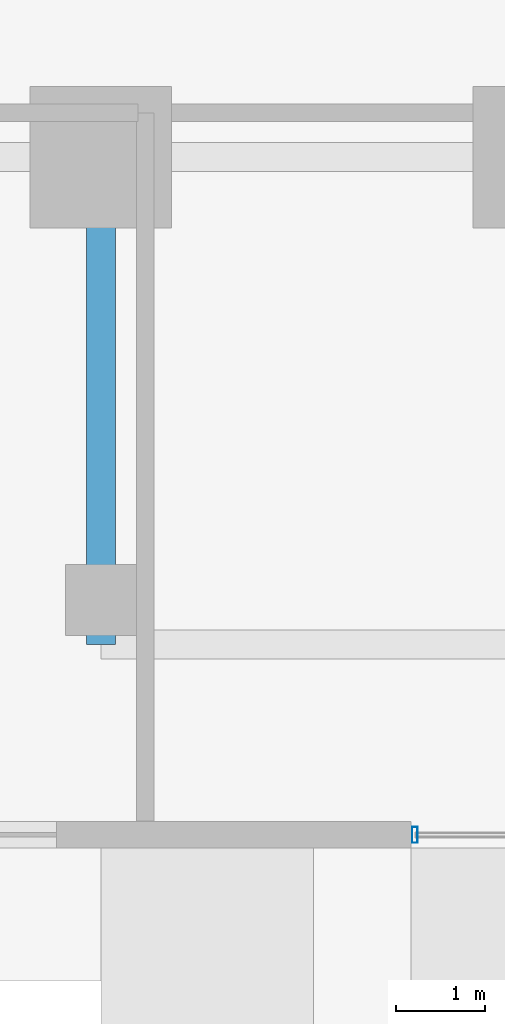
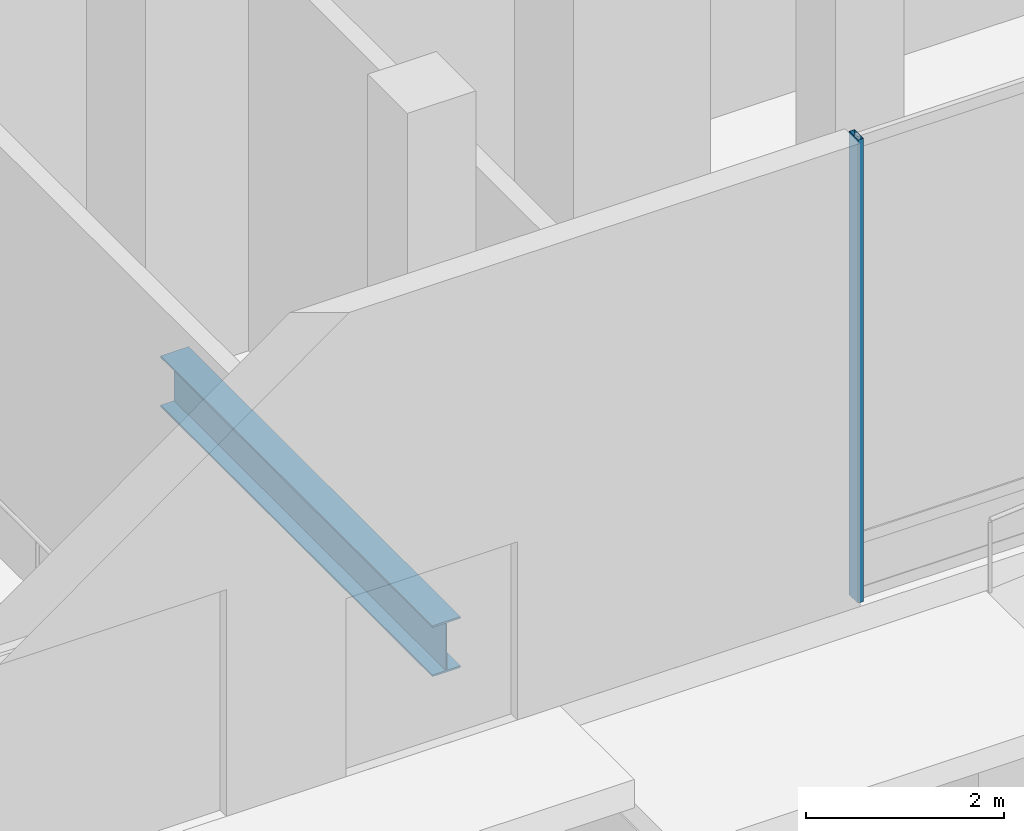
# One storey, part 3 of 34: 1 beam, 1 member, 1 element without a shape of its own.
"""IFC4 building model written with IfcOpenShell, lengths in metres."""

from ifc_helpers import new_model, si_unit, direction, frame, origin, origin_2d, place, context, subcontext, project, spatial, hollow_rectangle, i_section, extrude, material, layer, layer_set, material_profile, profile_set, type_object, element, aggregate, save


model = new_model("IFC4")

# Units and contexts
model_context = context("Model", 3, precision=1e-05, world=origin(), true_north=direction((0.0, 1.0)))
body_context = subcontext(model_context, "Body", "Model", "MODEL_VIEW")
ifc_project = project(units=[si_unit("LENGTHUNIT", "METRE"), si_unit("AREAUNIT", "SQUARE_METRE"), si_unit("VOLUMEUNIT", "CUBIC_METRE"), si_unit("PLANEANGLEUNIT", "RADIAN"), si_unit("MASSUNIT", "GRAM", prefix="KILO")], contexts=[model_context])

# Site, building, storey
site_placement = place(None, origin())
site = spatial("IfcSite", under=ifc_project, at=site_placement, CompositionType="ELEMENT")
building_placement = place(site_placement, origin())
building = spatial("IfcBuilding", under=site, at=building_placement, Name="Barlavira Tower and Art Museum", CompositionType="ELEMENT")
storey_placement = place(building_placement, origin())
storey = spatial("IfcBuildingStorey", under=building, at=storey_placement, Name="L00", CompositionType="ELEMENT", Elevation=0.0)

# Curtain wall, member
ifc_material_1 = material(Name="Low-iron coastal laminated glass", Category="glass")
ifc_layer = layer(ifc_material_1, 0.179931640625, Name="Low-iron coastal laminated glass")
ifc_layer_set = layer_set([ifc_layer], Name="Low-iron coastal laminated glass")
curtain_wall_type = type_object("IfcCurtainWallType", Name="Pale-Metal Unitised Curtain Wall Zone 1", PredefinedType="NOTDEFINED", material=ifc_layer_set)
curtain_wall_placement = place(storey_placement, origin())
curtain_wall = element("IfcCurtainWall", 1, at=curtain_wall_placement, inside=storey, type_object=curtain_wall_type, Name="L00 Curtain Wall CW1-L00-S", PredefinedType="NOTDEFINED")
ifc_material_2 = material(Name="Pale anodised aluminium", Category="aluminium")
ifc_material_profile_1 = material_profile(ifc_material_2, hollow_rectangle(XDim=0.06494140625, YDim=0.179931640625, WallThickness=0.00390625, at=origin_2d()), Name="ALU-MULL 65x180x4")
ifc_profile_set_1 = profile_set([ifc_material_profile_1], Name="Pale anodised aluminium")
member_type = type_object("IfcMemberType", Name="Curtain Wall Pale-Metal Mullion 65x180", PredefinedType="MULLION", material=ifc_profile_set_1)
member_placement = place(storey_placement, frame((-7.955078125, -27.64990234375, 0.0), z_axis=(0.0, 0.0, 1.0), x_axis=(1.0, 0.0, 0.0)))
member = element("IfcMember", 2, at=member_placement, type_object=member_type, Name="CW1-L00-S Mullion 0", PredefinedType="MULLION", context=body_context, shape_type="SweptSolid", body=[
    extrude(hollow_rectangle(XDim=0.06494140625, YDim=0.179931640625, WallThickness=0.00390625, at=origin_2d()), origin(), (0.0, 0.0, 1.0), 5.719970703125),
])
aggregate(curtain_wall, [member])

# Beam
ifc_material_3 = material(Name="Steel S355", Category="steel")
ifc_material_profile_2 = material_profile(ifc_material_3, i_section(OverallWidth=0.327880859375, OverallDepth=0.62890625, WebThickness=0.013916015625, FlangeThickness=0.021484375, at=origin_2d()), Name="W610x174.0")
ifc_profile_set_2 = profile_set([ifc_material_profile_2], Name="Steel S355")
beam_type = type_object("IfcBeamType", Name="Perimeter Spandrel Edge Beam W610x174 Steel S355", PredefinedType="SPANDREL", material=ifc_profile_set_2)
beam_placement = place(storey_placement, frame((-11.5, -25.5, -0.66455078125), z_axis=(0.0, 1.0, 0.0), x_axis=(-1.0, 0.0, 0.0)))
element("IfcBeam", 3, at=beam_placement, inside=storey, type_object=beam_type, Name="L00 SW Cascade Spandrel", PredefinedType="SPANDREL", context=body_context, shape_type="SweptSolid", body=[
    extrude(i_section(OverallWidth=0.327880859375, OverallDepth=0.62890625, WebThickness=0.013916015625, FlangeThickness=0.021484375, at=origin_2d()), origin(), (0.0, 0.0, 1.0), 5.5),
])

save(model, "model.ifc")
